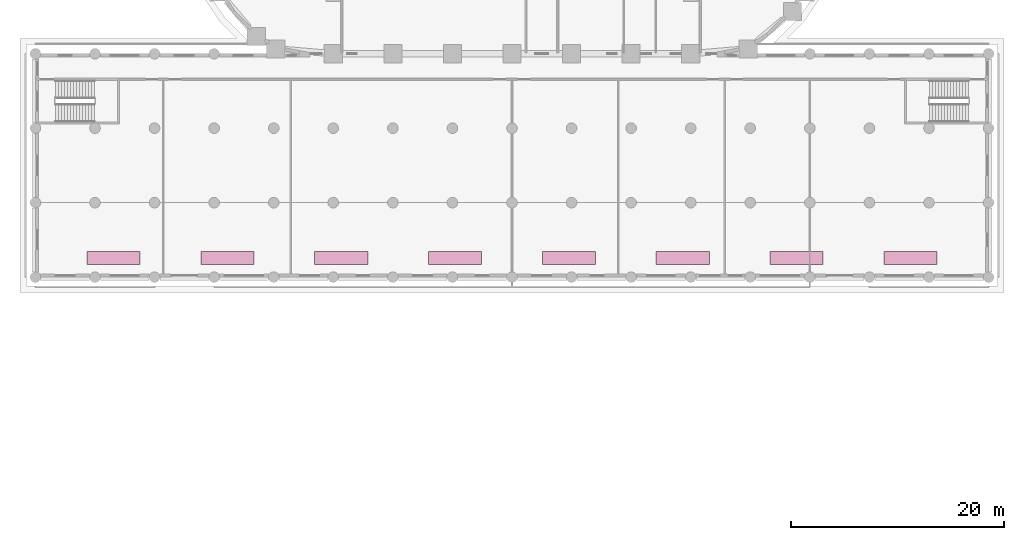
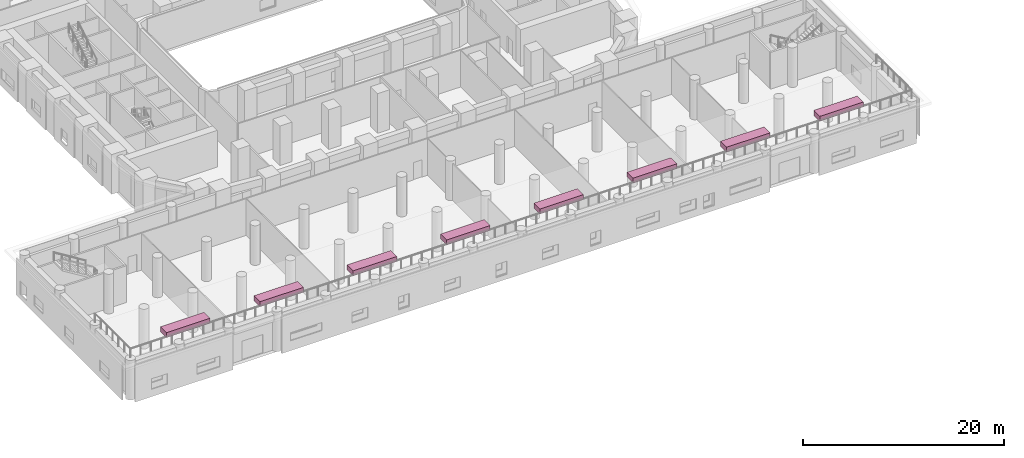
# One storey, part 23 of 23: 8 furnishings.
"""IFC4 building model written with IfcOpenShell, lengths in metres."""

from ifc_helpers import new_model, si_unit, direction, frame, origin, origin_2d, place, context, subcontext, project, spatial, rectangle, extrude, material, type_object, element, save


model = new_model("IFC4")

# Units and contexts
model_context = context("Model", 3, precision=1e-05, world=origin(), true_north=direction((0.0, 1.0)))
body_context = subcontext(model_context, "Body", "Model", "MODEL_VIEW")
ifc_project = project(units=[si_unit("LENGTHUNIT", "METRE"), si_unit("AREAUNIT", "SQUARE_METRE"), si_unit("VOLUMEUNIT", "CUBIC_METRE"), si_unit("PLANEANGLEUNIT", "RADIAN"), si_unit("MASSUNIT", "GRAM", prefix="KILO")], contexts=[model_context])

# Site, building, storey
site_placement = place(None, origin())
site = spatial("IfcSite", under=ifc_project, at=site_placement, CompositionType="ELEMENT")
building_placement = place(site_placement, origin())
building = spatial("IfcBuilding", under=site, at=building_placement, Name="Kiln Ring Residences", CompositionType="ELEMENT")
storey_placement = place(building_placement, frame((0.0, 0.0, 16.10009765625)))
storey = spatial("IfcBuildingStorey", under=building, at=storey_placement, Name="L03", CompositionType="ELEMENT", Elevation=16.10009765625)

# Furnishings
ifc_material = material(Name="Brick masonry, dark clay brick", Category="masonry")
furnishing_element_type = type_object("IfcFurnishingElementType", Name="PLANTER 1200 x 600", material=ifc_material)
for number, where, z_axis, x_axis, name in (
    (1, (-37.449951171875, -41.60009765625, 4.7998046875), (0.0, 0.0, 1.0), (1.0, 0.0, 0.0), "PLANTER L03 1"),
    (2, (-26.75, -41.60009765625, 4.7998046875), (0.0, 0.0, 1.0), (1.0, 0.0, 0.0), "PLANTER L03 2"),
    (3, (-16.050048828125, -41.60009765625, 4.7998046875), (0.0, 0.0, 1.0), (1.0, 0.0, 0.0), "PLANTER L03 3"),
    (4, (-5.35009765625, -41.60009765625, 4.7998046875), (0.0, 0.0, 1.0), (1.0, 0.0, 0.0), "PLANTER L03 4"),
    (5, (5.35009765625, -41.60009765625, 4.7998046875), (0.0, 0.0, 1.0), (1.0, 0.0, 0.0), "PLANTER L03 5"),
    (6, (16.050048828125, -41.60009765625, 4.7998046875), (0.0, 0.0, 1.0), (1.0, 0.0, 0.0), "PLANTER L03 6"),
    (7, (26.75, -41.60009765625, 4.7998046875), (0.0, 0.0, 1.0), (1.0, 0.0, 0.0), "PLANTER L03 7"),
    (8, (37.449951171875, -41.60009765625, 4.7998046875), (0.0, 0.0, 1.0), (1.0, 0.0, 0.0), "PLANTER L03 8"),
):
    element("IfcFurnishingElement", number, at=place(storey_placement, frame(where, z_axis=z_axis, x_axis=x_axis)), inside=storey, type_object=furnishing_element_type, Name=name, ObjectType="PLANTER", context=body_context, shape_type="SweptSolid", body=[
        extrude(rectangle(XDim=5.0, YDim=1.199951171875, at=origin_2d()), origin(), (0.0, 0.0, 1.0), 0.60009765625),
    ])

save(model, "model.ifc")
